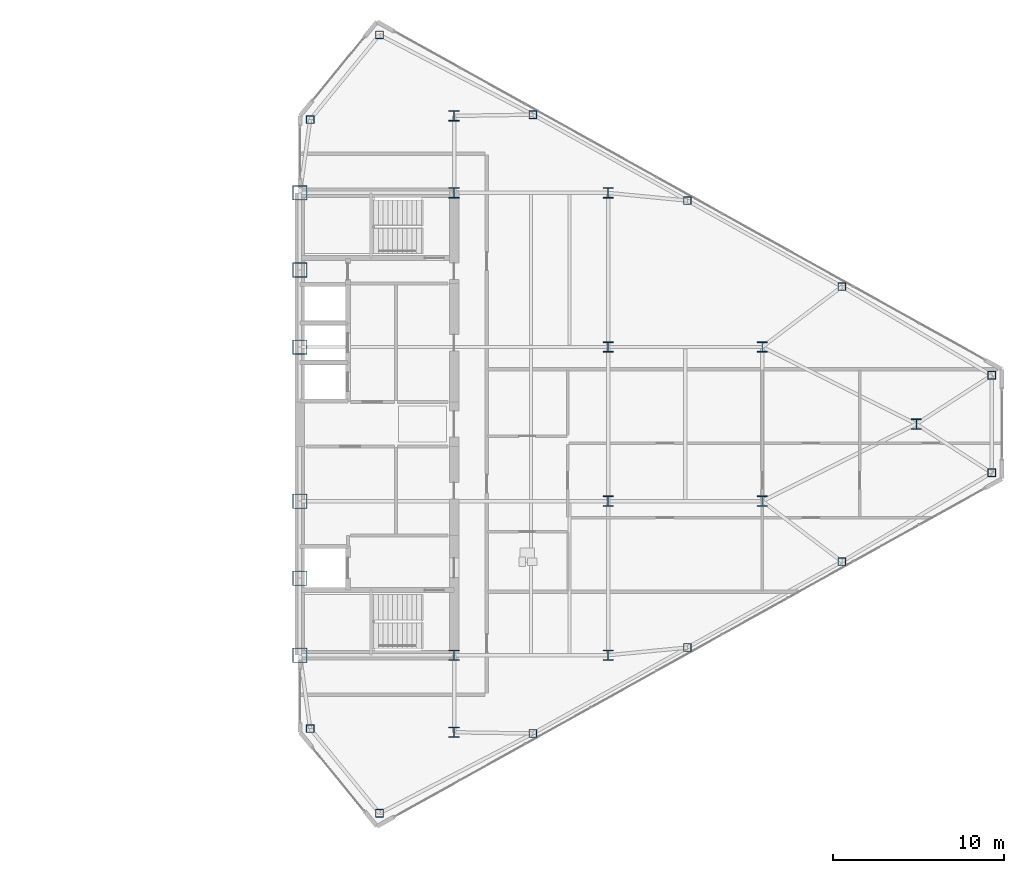
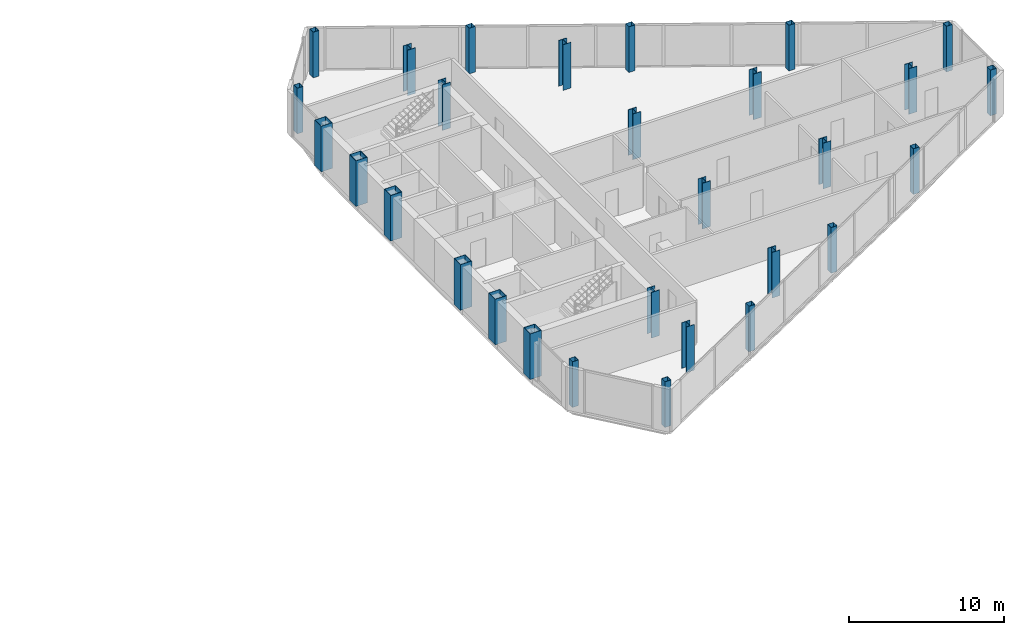
# One storey, part 2 of 25: 29 columns.
"""IFC4 building model written with IfcOpenShell, lengths in metres."""

from ifc_helpers import new_model, si_unit, direction, frame, origin, origin_2d, place, context, subcontext, project, spatial, hollow_rectangle, i_section, extrude, source, transform, mapped, material, material_profile, profile_set, type_object, type_shapes, element, save


model = new_model("IFC4")

# Units and contexts
model_context = context("Model", 3, precision=1e-05, world=origin(), true_north=direction((0.0, 1.0)))
body_context = subcontext(model_context, "Body", "Model", "MODEL_VIEW")
ifc_project = project(units=[si_unit("LENGTHUNIT", "METRE"), si_unit("AREAUNIT", "SQUARE_METRE"), si_unit("VOLUMEUNIT", "CUBIC_METRE"), si_unit("PLANEANGLEUNIT", "RADIAN"), si_unit("MASSUNIT", "GRAM", prefix="KILO")], contexts=[model_context])

# Site, building, storey
site_placement = place(None, origin())
site = spatial("IfcSite", under=ifc_project, at=site_placement, CompositionType="ELEMENT")
building_placement = place(site_placement, origin())
building = spatial("IfcBuilding", under=site, at=building_placement, Name="Seokmaru Belvedere", CompositionType="ELEMENT")
storey_placement = place(building_placement, frame((0.0, 0.0, 188.699951171875)))
storey = spatial("IfcBuildingStorey", under=building, at=storey_placement, Name="L50", CompositionType="ELEMENT", Elevation=188.699951171875)

# Columns
ifc_material_1 = material(Name="Steel SM355 (355 MPa)", Category="steel")
ifc_material_profile_1 = material_profile(ifc_material_1, hollow_rectangle(XDim=0.449951171875, YDim=0.449951171875, WallThickness=0.01806640625, at=origin_2d()), Name="HSS-450x450x18")
ifc_profile_set_1 = profile_set([ifc_material_profile_1], Name="Steel SM355 (355 MPa)")
column_type_1 = type_object("IfcColumnType", Name="Perimeter Facet Column HSS-450", PredefinedType="COLUMN", material=ifc_profile_set_1)
shared_shape_1 = source(origin(), body_context, "Body", "SweptSolid", [
    extrude(hollow_rectangle(XDim=0.449951171875, YDim=0.449951171875, WallThickness=0.01806640625, at=origin_2d()), origin(), (0.0, 0.0, 1.0), 3.60009765625),
])
type_shapes(column_type_1, [shared_shape_1])
for number, where, z_axis, x_axis, name in (
    (1, (32.146728515625, -22.731689453125, 0.0), (0.0, 0.0, 1.0), (1.0, 0.0, 0.0), "L50 Column EF1"),
    (2, (67.89990234375, -2.84716796875, 0.0), (0.0, 0.0, 1.0), (1.0, 0.0, 0.0), "L50 Column EF2"),
    (3, (67.89990234375, 2.84716796875, 0.0), (0.0, 0.0, 1.0), (1.0, 0.0, 0.0), "L50 Column EF3"),
    (4, (32.146728515625, 22.731689453125, 0.0), (0.0, 0.0, 1.0), (1.0, 0.0, 0.0), "L50 Column EF4"),
    (5, (28.10009765625, 17.785888671875, 0.0), (0.0, 0.0, 1.0), (1.0, 0.0, 0.0), "L50 Column EF5"),
    (6, (28.10009765625, -17.785888671875, 0.0), (0.0, 0.0, 1.0), (1.0, 0.0, 0.0), "L50 Column EF6"),
    (7, (41.103759765625, -18.07080078125, 0.0), (0.0, 0.0, 1.0), (1.0, 0.0, 0.0), "L50 Column EFLK_S1"),
    (8, (50.129150390625, -13.051025390625, 0.0), (0.0, 0.0, 1.0), (1.0, 0.0, 0.0), "L50 Column EFLK_S2"),
    (9, (59.154541015625, -8.031494140625, 0.0), (0.0, 0.0, 1.0), (1.0, 0.0, 0.0), "L50 Column EFLK_S3"),
    (10, (41.103759765625, 18.07080078125, 0.0), (0.0, 0.0, 1.0), (1.0, 0.0, 0.0), "L50 Column EFLK_N1"),
    (11, (50.129150390625, 13.051025390625, 0.0), (0.0, 0.0, 1.0), (1.0, 0.0, 0.0), "L50 Column EFLK_N2"),
    (12, (59.154541015625, 8.031494140625, 0.0), (0.0, 0.0, 1.0), (1.0, 0.0, 0.0), "L50 Column EFLK_N3"),
):
    element("IfcColumn", number, at=place(storey_placement, frame(where, z_axis=z_axis, x_axis=x_axis)), inside=storey, type_object=column_type_1, Name=name, PredefinedType="COLUMN", context=body_context, shape_type="MappedRepresentation", body=[
        mapped(shared_shape_1, transform((0.0, 0.0, 0.0), scale=1.0)),
    ])
ifc_material_2 = material(Name="Steel HSA650 (650 MPa)", Category="steel")
ifc_material_profile_2 = material_profile(ifc_material_2, hollow_rectangle(XDim=0.85009765625, YDim=0.85009765625, WallThickness=0.035888671875, at=origin_2d()), Name="BOX-850x850x36")
ifc_profile_set_2 = profile_set([ifc_material_profile_2], Name="Steel HSA650 (650 MPa)")
column_type_2 = type_object("IfcColumnType", Name="Portal Spine Column BOX-850", PredefinedType="COLUMN", material=ifc_profile_set_2)
shared_shape_2 = source(origin(), body_context, "Body", "SweptSolid", [
    extrude(hollow_rectangle(XDim=0.85009765625, YDim=0.85009765625, WallThickness=0.035888671875, at=origin_2d()), origin(), (0.0, 0.0, 1.0), 3.60009765625),
])
type_shapes(column_type_2, [shared_shape_2])
for number, where, z_axis, x_axis, name in (
    (13, (27.5, -13.5, 0.0), (0.0, 0.0, 1.0), (1.0, 0.0, 0.0), "L50 Column ES1"),
    (14, (27.5, -9.0, 0.0), (0.0, 0.0, 1.0), (1.0, 0.0, 0.0), "L50 Column ES2"),
    (15, (27.5, -4.5, 0.0), (0.0, 0.0, 1.0), (1.0, 0.0, 0.0), "L50 Column ES3"),
    (16, (27.5, 4.5, 0.0), (0.0, 0.0, 1.0), (1.0, 0.0, 0.0), "L50 Column ES4"),
    (17, (27.5, 9.0, 0.0), (0.0, 0.0, 1.0), (1.0, 0.0, 0.0), "L50 Column ES5"),
    (18, (27.5, 13.5, 0.0), (0.0, 0.0, 1.0), (1.0, 0.0, 0.0), "L50 Column ES6"),
):
    element("IfcColumn", number, at=place(storey_placement, frame(where, z_axis=z_axis, x_axis=x_axis)), inside=storey, type_object=column_type_2, Name=name, PredefinedType="COLUMN", context=body_context, shape_type="MappedRepresentation", body=[
        mapped(shared_shape_2, transform((0.0, 0.0, 0.0), scale=1.0)),
    ])
ifc_material_profile_3 = material_profile(ifc_material_1, i_section(OverallWidth=0.60009765625, OverallDepth=0.60009765625, WebThickness=0.02490234375, FlangeThickness=0.0400390625, at=origin_2d()), Name="H-600x600x25x40")
ifc_profile_set_3 = profile_set([ifc_material_profile_3], Name="Steel SM355 (355 MPa)")
column_type_3 = type_object("IfcColumnType", Name="Upper-Mid Interior Column H-600", PredefinedType="COLUMN", material=ifc_profile_set_3)
shared_shape_3 = source(origin(), body_context, "Body", "SweptSolid", [
    extrude(i_section(OverallWidth=0.60009765625, OverallDepth=0.60009765625, WebThickness=0.02490234375, FlangeThickness=0.0400390625, at=origin_2d()), origin(), (0.0, 0.0, 1.0), 3.60009765625),
])
type_shapes(column_type_3, [shared_shape_3])
for number, where, z_axis, x_axis, name in (
    (19, (36.5, -18.0, 0.0), (0.0, 0.0, 1.0), (1.0, 0.0, 0.0), "L50 Column EC1"),
    (20, (36.5, -13.5, 0.0), (0.0, 0.0, 1.0), (1.0, 0.0, 0.0), "L50 Column EC2"),
    (21, (36.5, 13.5, 0.0), (0.0, 0.0, 1.0), (1.0, 0.0, 0.0), "L50 Column EC3"),
    (22, (36.5, 18.0, 0.0), (0.0, 0.0, 1.0), (1.0, 0.0, 0.0), "L50 Column EC4"),
    (23, (45.5, -13.5, 0.0), (0.0, 0.0, 1.0), (1.0, 0.0, 0.0), "L50 Column EG5_1"),
    (24, (45.5, -4.5, 0.0), (0.0, 0.0, 1.0), (1.0, 0.0, 0.0), "L50 Column EG5_2"),
    (25, (45.5, 4.5, 0.0), (0.0, 0.0, 1.0), (1.0, 0.0, 0.0), "L50 Column EG5_3"),
    (26, (45.5, 13.5, 0.0), (0.0, 0.0, 1.0), (1.0, 0.0, 0.0), "L50 Column EG5_4"),
    (27, (54.5, -4.5, 0.0), (0.0, 0.0, 1.0), (1.0, 0.0, 0.0), "L50 Column EG4P_1"),
    (28, (54.5, 4.5, 0.0), (0.0, 0.0, 1.0), (1.0, 0.0, 0.0), "L50 Column EG4P_2"),
    (29, (63.5, 0.0, 0.0), (0.0, 0.0, 1.0), (1.0, 0.0, 0.0), "L50 Column EG3P_1"),
):
    element("IfcColumn", number, at=place(storey_placement, frame(where, z_axis=z_axis, x_axis=x_axis)), inside=storey, type_object=column_type_3, Name=name, PredefinedType="COLUMN", context=body_context, shape_type="MappedRepresentation", body=[
        mapped(shared_shape_3, transform((0.0, 0.0, 0.0), scale=1.0)),
    ])

save(model, "model.ifc")
